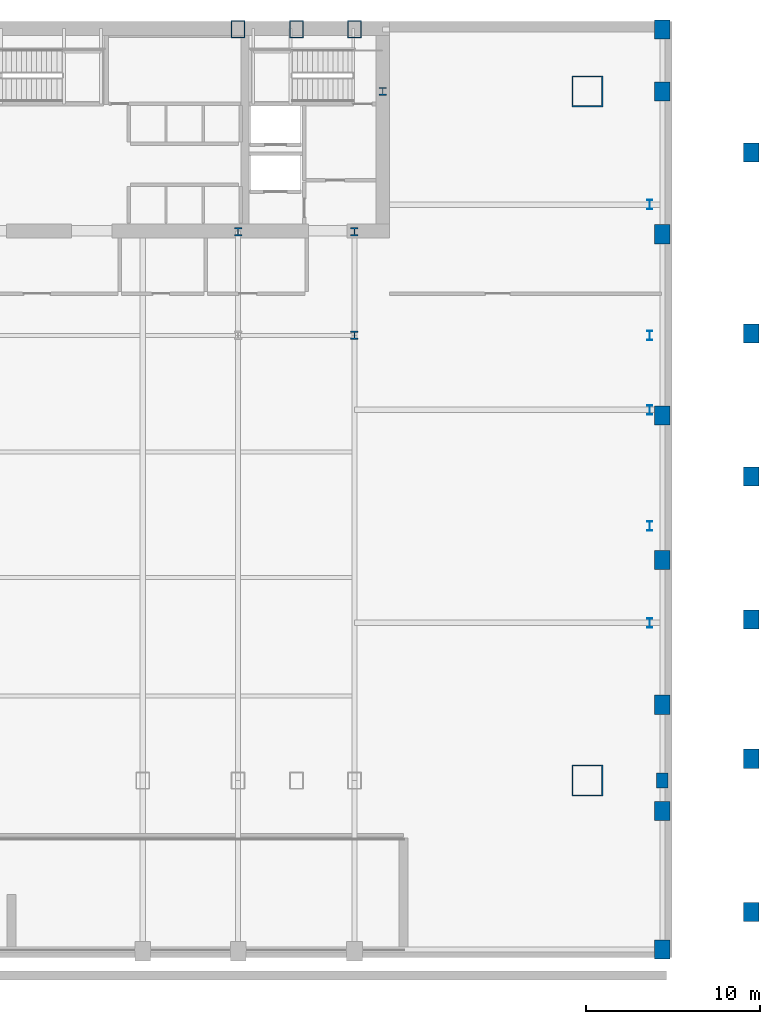
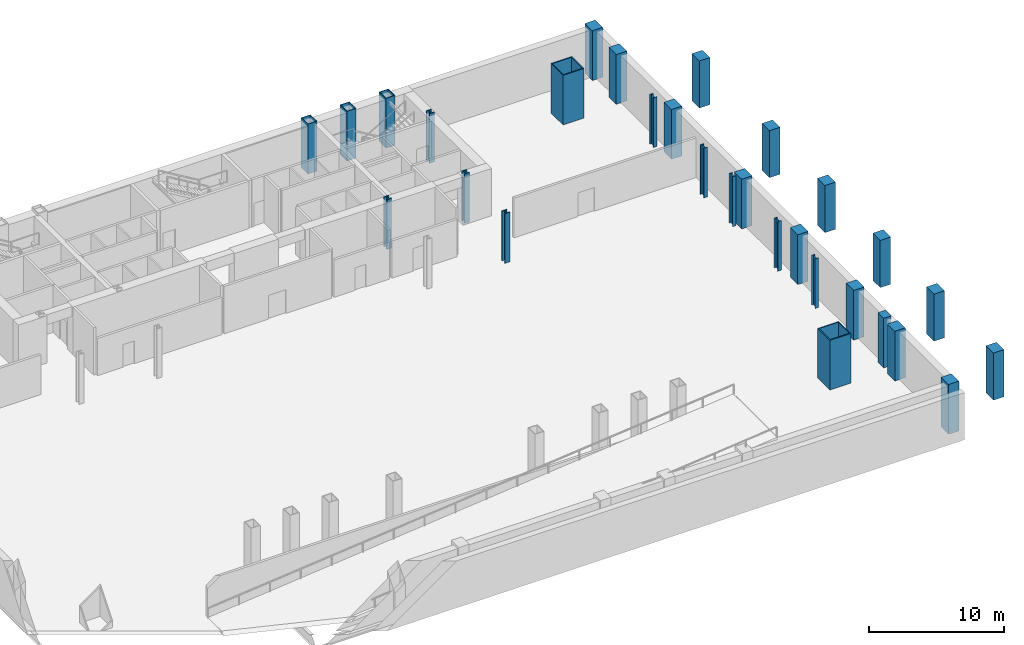
# One storey, part 4 of 10: 29 columns.
"""IFC4 building model written with IfcOpenShell, lengths in metres."""

from ifc_helpers import new_model, si_unit, direction, frame, origin, origin_2d, place, context, subcontext, project, spatial, rectangle, hollow_rectangle, i_section, extrude, material, material_profile, profile_set, type_object, element, save


model = new_model("IFC4")

# Units and contexts
model_context = context("Model", 3, precision=1e-05, world=origin(), true_north=direction((0.0, 1.0)))
body_context = subcontext(model_context, "Body", "Model", "MODEL_VIEW")
ifc_project = project(units=[si_unit("LENGTHUNIT", "METRE"), si_unit("AREAUNIT", "SQUARE_METRE"), si_unit("VOLUMEUNIT", "CUBIC_METRE"), si_unit("PLANEANGLEUNIT", "RADIAN"), si_unit("MASSUNIT", "GRAM", prefix="KILO")], contexts=[model_context])

# Site, building, storey
site_placement = place(None, origin())
site = spatial("IfcSite", under=ifc_project, at=site_placement, CompositionType="ELEMENT")
building_placement = place(site_placement, origin())
building = spatial("IfcBuilding", under=site, at=building_placement, Name="Khoronbel Lancet Exchange", CompositionType="ELEMENT")
storey_placement = place(building_placement, frame((0.0, 0.0, -4.5)))
storey = spatial("IfcBuildingStorey", under=building, at=storey_placement, Name="B1", CompositionType="ELEMENT", Elevation=-4.5)

# Columns
ifc_material_1 = material(Name="Steel S460", Category="steel")
ifc_material_profile_1 = material_profile(ifc_material_1, hollow_rectangle(XDim=0.800048828125, YDim=1.0, WallThickness=0.054931640625, at=origin_2d()), Name="BOX 1000x800x55")
ifc_profile_set_1 = profile_set([ifc_material_profile_1], Name="Steel S460")
column_type_1 = type_object("IfcColumnType", Name="COL-EC1", PredefinedType="COLUMN", material=ifc_profile_set_1)
for number, where, z_axis, x_axis, name in (
    (1, (48.0, 53.280029296875, 0.0), (0.0, 0.0, 1.0), (1.0, 0.0, 0.0), "Structural column NC-E1 B1"),
    (2, (51.33740234375, 53.280029296875, 0.0), (0.0, 0.0, 1.0), (1.0, 0.0, 0.0), "Structural column NC-EM B1"),
    (3, (54.675048828125, 53.280029296875, 0.0), (0.0, 0.0, 1.0), (1.0, 0.0, 0.0), "Structural column NC-E2 B1"),
):
    element("IfcColumn", number, at=place(storey_placement, frame(where, z_axis=z_axis, x_axis=x_axis)), inside=storey, type_object=column_type_1, Name=name, PredefinedType="COLUMN", context=body_context, shape_type="SweptSolid", body=[
        extrude(hollow_rectangle(XDim=0.800048828125, YDim=1.0, WallThickness=0.054931640625, at=origin_2d()), origin(), (0.0, 0.0, 1.0), 4.5),
    ])
ifc_material_profile_2 = material_profile(ifc_material_1, i_section(OverallWidth=0.424072265625, OverallDepth=0.47412109375, WebThickness=0.047607421875, FlangeThickness=0.076904296875, at=origin_2d()), Name="HD 400x634")
ifc_profile_set_2 = profile_set([ifc_material_profile_2], Name="Steel S460")
column_type_2 = type_object("IfcColumnType", Name="COL-IC1", PredefinedType="COLUMN", material=ifc_profile_set_2)
for number, where, z_axis, x_axis, name in (
    (4, (56.300048828125, 49.699951171875, 0.0), (0.0, 0.0, 1.0), (1.0, 0.0, 0.0), "Core-flank plumb transfer column CFE B1"),
    (5, (48.0, 41.64990234375, 0.0), (0.0, 0.0, 1.0), (1.0, 0.0, 0.0), "Core-embedded steel column CTC3 B1"),
    (6, (54.675048828125, 35.699951171875, 0.0), (0.0, 0.0, 1.0), (1.0, 0.0, 0.0), "Spine gravity column TC4 B1"),
    (7, (54.675048828125, 41.64990234375, 0.0), (0.0, 0.0, 1.0), (1.0, 0.0, 0.0), "Core-embedded steel column CTC4 B1"),
):
    element("IfcColumn", number, at=place(storey_placement, frame(where, z_axis=z_axis, x_axis=x_axis)), inside=storey, type_object=column_type_2, Name=name, PredefinedType="COLUMN", context=body_context, shape_type="SweptSolid", body=[
        extrude(i_section(OverallWidth=0.424072265625, OverallDepth=0.47412109375, WebThickness=0.047607421875, FlangeThickness=0.076904296875, at=origin_2d()), origin(), (0.0, 0.0, 1.0), 4.5),
    ])
ifc_material_2 = material(Name="Steel S355", Category="steel")
ifc_material_profile_3 = material_profile(ifc_material_2, i_section(OverallWidth=0.300048828125, OverallDepth=0.550048828125, WebThickness=0.014892578125, FlangeThickness=0.029052734375, at=origin_2d()), Name="HEB 550")
ifc_profile_set_3 = profile_set([ifc_material_profile_3], Name="Steel S355")
column_type_3 = type_object("IfcColumnType", Name="COL-LC1", PredefinedType="COLUMN", material=ifc_profile_set_3)
for number, where, z_axis, x_axis, name in (
    (8, (71.6298828125, 19.199951171875, 0.0), (0.0, 0.0, 1.0), (1.0, 0.0, 0.0), "Structural column EC-1 B1"),
    (9, (71.6298828125, 24.75, 0.0), (0.0, 0.0, 1.0), (1.0, 0.0, 0.0), "Structural column EC-2 B1"),
    (10, (71.6298828125, 31.425048828125, 0.0), (0.0, 0.0, 1.0), (1.0, 0.0, 0.0), "Structural column EC-M B1"),
    (11, (71.6298828125, 35.699951171875, 0.0), (0.0, 0.0, 1.0), (1.0, 0.0, 0.0), "Structural column EC-3 B1"),
    (12, (71.6298828125, 43.199951171875, 0.0), (0.0, 0.0, 1.0), (1.0, 0.0, 0.0), "Structural column EC-4 B1"),
):
    element("IfcColumn", number, at=place(storey_placement, frame(where, z_axis=z_axis, x_axis=x_axis)), inside=storey, type_object=column_type_3, Name=name, PredefinedType="COLUMN", context=body_context, shape_type="SweptSolid", body=[
        extrude(i_section(OverallWidth=0.300048828125, OverallDepth=0.550048828125, WebThickness=0.014892578125, FlangeThickness=0.029052734375, at=origin_2d()), origin(), (0.0, 0.0, 1.0), 4.5),
    ])
ifc_material_profile_4 = material_profile(ifc_material_1, hollow_rectangle(XDim=1.800048828125, YDim=1.800048828125, WallThickness=0.080078125, at=origin_2d()), Name="BOX 1800x1800x80")
ifc_profile_set_4 = profile_set([ifc_material_profile_4], Name="Steel S460")
column_type_4 = type_object("IfcColumnType", Name="COL-MC1", PredefinedType="COLUMN", material=ifc_profile_set_4)
for number, where, z_axis, x_axis, name in (
    (13, (68.050048828125, 10.14990234375, 0.0), (0.0, 0.0, 1.0), (1.0, 0.0, 0.0), "Structural column MC-SE B1"),
    (14, (68.050048828125, 49.699951171875, 0.0), (0.0, 0.0, 1.0), (1.0, 0.0, 0.0), "Structural column MC-NE B1"),
):
    element("IfcColumn", number, at=place(storey_placement, frame(where, z_axis=z_axis, x_axis=x_axis)), inside=storey, type_object=column_type_4, Name=name, PredefinedType="COLUMN", context=body_context, shape_type="SweptSolid", body=[
        extrude(hollow_rectangle(XDim=1.800048828125, YDim=1.800048828125, WallThickness=0.080078125, at=origin_2d()), origin(), (0.0, 0.0, 1.0), 4.5),
    ])
ifc_material_3 = material(Name="Concrete C60/75", Category="concrete")
ifc_material_profile_5 = material_profile(ifc_material_3, rectangle(XDim=0.89990234375, YDim=1.10009765625, at=origin_2d()), Name="RC 900x1100")
ifc_profile_set_5 = profile_set([ifc_material_profile_5], Name="Concrete C60/75")
column_type_5 = type_object("IfcColumnType", Name="COL-PIL1", PredefinedType="PILASTER", material=ifc_profile_set_5)
for number, where, z_axis, x_axis, name in (
    (15, (72.35009765625, 8.39990234375, 0.0), (0.0, 0.0, 1.0), (1.0, 0.0, 0.0), "Podium Gothic colonnade pilaster SEP B1"),
    (16, (72.35009765625, 49.699951171875, 0.0), (0.0, 0.0, 1.0), (1.0, 0.0, 0.0), "Podium Gothic colonnade pilaster NEMC B1"),
    (17, (72.35009765625, 53.25, 0.0), (0.0, 0.0, 1.0), (1.0, 0.0, 0.0), "Podium Gothic colonnade pilaster NEP B1"),
    (18, (72.35009765625, 14.5, 0.0), (0.0, 0.0, 1.0), (1.0, 0.0, 0.0), "Podium Gothic colonnade pilaster E1 B1"),
    (19, (72.35009765625, 22.800048828125, 0.0), (0.0, 0.0, 1.0), (1.0, 0.0, 0.0), "Podium Gothic colonnade pilaster E2 B1"),
    (20, (72.35009765625, 31.10009765625, 0.0), (0.0, 0.0, 1.0), (1.0, 0.0, 0.0), "Podium Gothic colonnade pilaster E3 B1"),
    (21, (72.35009765625, 41.5, 0.0), (0.0, 0.0, 1.0), (1.0, 0.0, 0.0), "Podium Gothic colonnade pilaster E4 B1"),
    (22, (72.35009765625, 0.449951171875, 0.0), (0.0, 0.0, 1.0), (1.0, 0.0, 0.0), "Podium Gothic colonnade pilaster S0E B1"),
):
    element("IfcColumn", number, at=place(storey_placement, frame(where, z_axis=z_axis, x_axis=x_axis)), inside=storey, type_object=column_type_5, Name=name, PredefinedType="PILASTER", context=body_context, shape_type="SweptSolid", body=[
        extrude(rectangle(XDim=0.89990234375, YDim=1.10009765625, at=origin_2d()), origin(), (0.0, 0.0, 1.0), 4.5),
    ])
for number, where, z_axis, x_axis, name in (
    (23, (77.449951171875, 2.60009765625, 0.0), (0.0, 0.0, 1.0), (1.0, 0.0, 0.0), "Substructure apron pier APR1 B1"),
    (24, (77.449951171875, 11.39990234375, 0.0), (0.0, 0.0, 1.0), (1.0, 0.0, 0.0), "Substructure apron pier APR2 B1"),
    (25, (77.449951171875, 19.39990234375, 0.0), (0.0, 0.0, 1.0), (1.0, 0.0, 0.0), "Substructure apron pier APR3 B1"),
    (26, (77.449951171875, 27.60009765625, 0.0), (0.0, 0.0, 1.0), (1.0, 0.0, 0.0), "Substructure apron pier APR4 B1"),
    (27, (77.449951171875, 35.800048828125, 0.0), (0.0, 0.0, 1.0), (1.0, 0.0, 0.0), "Substructure apron pier APR5 B1"),
    (28, (77.449951171875, 46.199951171875, 0.0), (0.0, 0.0, 1.0), (1.0, 0.0, 0.0), "Substructure apron pier APR6 B1"),
):
    element("IfcColumn", number, at=place(storey_placement, frame(where, z_axis=z_axis, x_axis=x_axis)), inside=storey, type_object=column_type_5, Name=name, PredefinedType="PILASTER", context=body_context, shape_type="SweptSolid", body=[
        extrude(rectangle(XDim=0.89990234375, YDim=1.10009765625, at=origin_2d()), origin(), (0.0, 0.0, 1.0), 4.260009765625),
    ])
ifc_material_profile_6 = material_profile(ifc_material_3, rectangle(XDim=0.64990234375, YDim=0.85009765625, at=origin_2d()), Name="RC 650x850")
ifc_profile_set_6 = profile_set([ifc_material_profile_6], Name="Concrete C60/75")
column_type_6 = type_object("IfcColumnType", Name="COL-PIL3", PredefinedType="PILASTER", material=ifc_profile_set_6)
column_placement = place(storey_placement, frame((72.35009765625, 10.14990234375, 0.0), z_axis=(0.0, 0.0, 1.0), x_axis=(1.0, 0.0, 0.0)))
element("IfcColumn", 29, at=column_placement, inside=storey, type_object=column_type_6, Name="Podium Gothic colonnade pilaster EMC B1", PredefinedType="PILASTER", context=body_context, shape_type="SweptSolid", body=[
    extrude(rectangle(XDim=0.64990234375, YDim=0.85009765625, at=origin_2d()), origin(), (0.0, 0.0, 1.0), 4.5),
])

save(model, "model.ifc")
